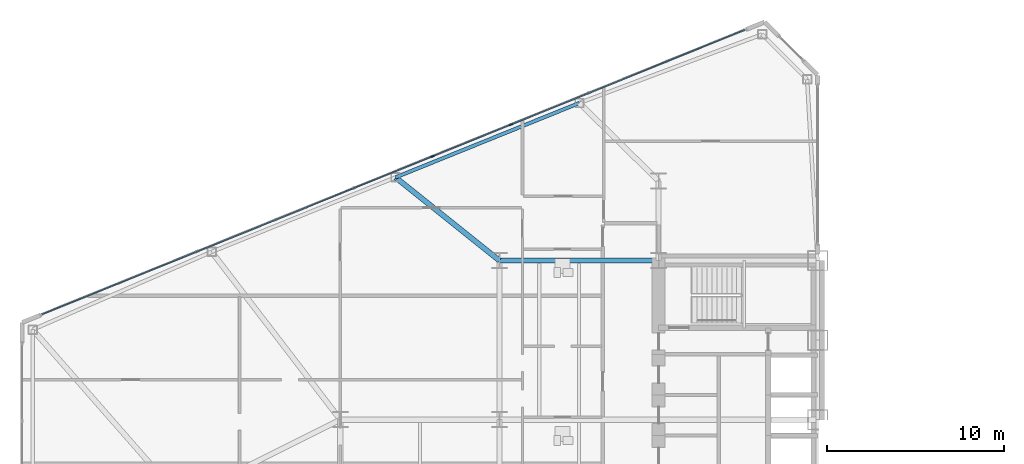
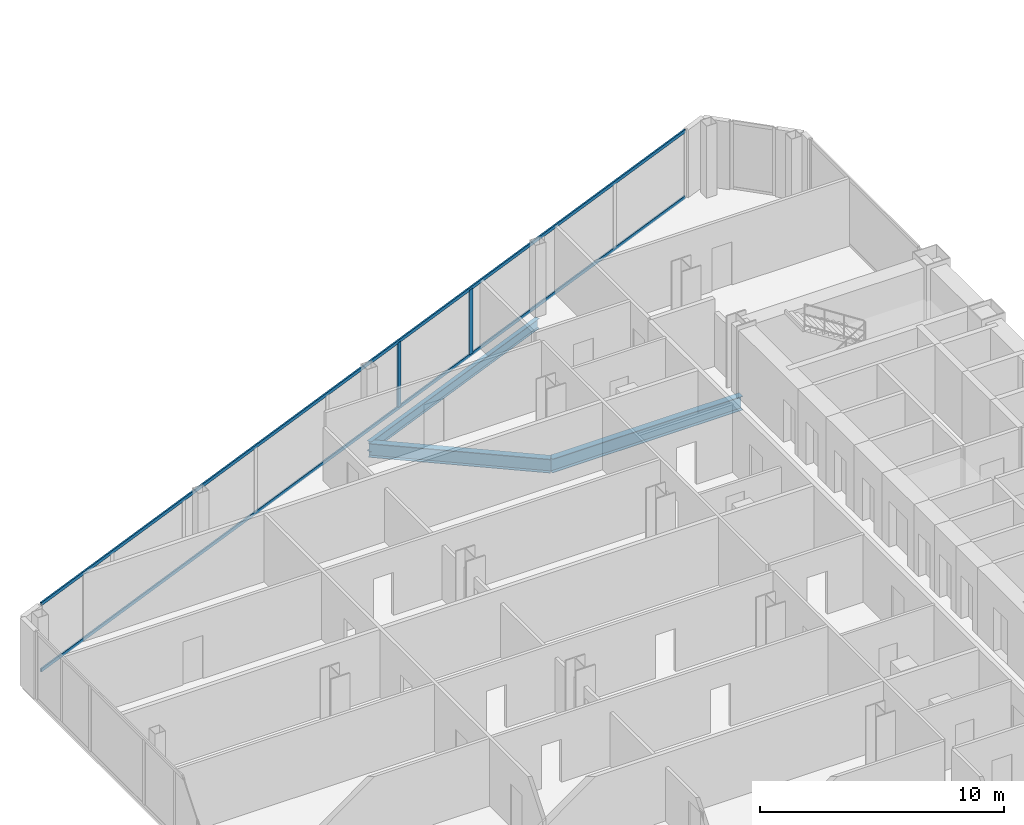
# One storey, part 7 of 25: 4 members, 3 beams, 1 element without a shape of its own.
"""IFC4 building model written with IfcOpenShell, lengths in metres."""

import ifcopenshell
import ifcopenshell.guid

model = None  # the IFC model being written
_history = None  # IfcOwnerHistory: only IFC2X3 demands one
_inside = {}  # id of a spatial element -> (the spatial element, [elements in it])
_under = {}  # id of a project, library or spatial element -> (it, [spatial elements below it])
_declared = {}  # id of a project -> (the project, [libraries it declares])
_typed = {}  # id of a type object -> (the type object, [elements of that type])
_made_of = {}  # id of a material, layer set ... -> (it, [elements and type objects made of it])


def new_model(schema):
    """Start an empty IFC model of exactly this schema.

    Asked for "IFC4X3", IfcOpenShell would pick the latest addendum, in which some entities
    have other attributes; the version numbers below select the first issue.
    IFC2X3 requires an IfcOwnerHistory on every rooted entity: one is made here for all.
    """
    global model, _history
    if schema == "IFC4X3":
        model = ifcopenshell.file(schema_version=(4, 3, 0, 0))
    else:
        model = ifcopenshell.file(schema=schema)
    _inside.clear()
    _under.clear()
    _declared.clear()
    _typed.clear()
    _made_of.clear()
    _history = None
    if model.schema == "IFC2X3":
        org = make("IfcOrganization", Name="unknown")
        user = make(
            "IfcPersonAndOrganization",
            ThePerson=make("IfcPerson", FamilyName="unknown"),
            TheOrganization=org,
        )
        app = make(
            "IfcApplication",
            ApplicationDeveloper=org,
            Version="unknown",
            ApplicationFullName="unknown",
            ApplicationIdentifier="unknown",
        )
        _history = make(
            "IfcOwnerHistory",
            OwningUser=user,
            OwningApplication=app,
            ChangeAction="ADDED",
            CreationDate=0,
        )
    return model


def make(cls, **values):
    """One entity of the class cls with the attributes given. An attribute that is None is left unset."""
    return model.create_entity(
        cls, **{name: value for name, value in values.items() if value is not None}
    )


def rooted(cls, **values):
    """An entity with a GlobalId (a new one), such as an element, a storey or a relation."""
    return make(cls, GlobalId=ifcopenshell.guid.new(), OwnerHistory=_history, **values)


def si_unit(unit_type, name, prefix=None):
    """IfcSIUnit, for example si_unit("LENGTHUNIT", "METRE", prefix="MILLI")."""
    return make("IfcSIUnit", UnitType=unit_type, Prefix=prefix, Name=name)


def assignment(units):
    """IfcUnitAssignment: the units of a project."""
    return None if units is None else make("IfcUnitAssignment", Units=units)


def point(xyz):
    """IfcCartesianPoint."""
    return None if xyz is None else make("IfcCartesianPoint", Coordinates=xyz)


def direction(xyz):
    """IfcDirection."""
    return None if xyz is None else make("IfcDirection", DirectionRatios=xyz)


def frame(location, z_axis=None, x_axis=None):
    """IfcAxis2Placement3D, a coordinate frame: its origin and axes. An axis left out is left unset."""
    return make(
        "IfcAxis2Placement3D",
        Location=point(location),
        Axis=direction(z_axis),
        RefDirection=direction(x_axis),
    )


def frame_2d(location, x_axis=None):
    """IfcAxis2Placement2D, a coordinate frame in the plane: its origin and x axis."""
    return make(
        "IfcAxis2Placement2D", Location=point(location), RefDirection=direction(x_axis)
    )


def origin():
    """The frame at (0, 0, 0) with its axes left unset."""
    return frame((0.0, 0.0, 0.0))


def origin_2d():
    """The frame at (0, 0) in the plane with its x axis left unset."""
    return frame_2d((0.0, 0.0))


def place(relative_to, where):
    """IfcLocalPlacement: puts the frame where relative to a parent placement (None: the world)."""
    return make(
        "IfcLocalPlacement", PlacementRelTo=relative_to, RelativePlacement=where
    )


def context(
    kind, dimensions, precision=None, world=None, true_north=None, identifier=None
):
    """IfcGeometricRepresentationContext, for example the 3D "Model" context."""
    return make(
        "IfcGeometricRepresentationContext",
        ContextIdentifier=identifier,
        ContextType=kind,
        CoordinateSpaceDimension=dimensions,
        Precision=precision,
        WorldCoordinateSystem=world,
        TrueNorth=true_north,
    )


def subcontext(parent, identifier, kind, view, scale=None):
    """IfcGeometricRepresentationSubContext, for example "Body" below "Model"."""
    return make(
        "IfcGeometricRepresentationSubContext",
        ContextIdentifier=identifier,
        ContextType=kind,
        ParentContext=parent,
        TargetScale=scale,
        TargetView=view,
    )


def project(units=None, contexts=None):
    """IfcProject with its units and contexts."""
    return rooted(
        "IfcProject",
        Name="project",
        RepresentationContexts=contexts,
        UnitsInContext=assignment(units),
    )


def spatial(cls, under=None, at=None, **own):
    """A site, building, storey or space (cls), placed at a placement, below another one or the project."""
    s = rooted(cls, ObjectPlacement=at, **own)
    if under is not None:
        _under.setdefault(under.id(), (under, []))[1].append(s)
    return s


def profile(cls, at=None, kind="AREA", **sizes):
    """A parametric profile (cls). Its sizes go by their IFC names, for example OverallWidth=200.0."""
    return make(cls, ProfileType=kind, Position=at, **sizes)


def rectangle(**sizes):
    """IfcRectangleProfileDef."""
    return profile("IfcRectangleProfileDef", **sizes)


def i_section(**sizes):
    """IfcIShapeProfileDef."""
    return profile("IfcIShapeProfileDef", **sizes)


def extrude(swept, where, along, depth):
    """IfcExtrudedAreaSolid: the profile swept, set in the frame where, extruded along a direction by depth."""
    return make(
        "IfcExtrudedAreaSolid",
        SweptArea=swept,
        Position=where,
        ExtrudedDirection=direction(along),
        Depth=depth,
    )


def shape(context_of_items, identifier, shape_type, items):
    """IfcShapeRepresentation: the items that make up one representation, for example the "Body"."""
    return make(
        "IfcShapeRepresentation",
        ContextOfItems=context_of_items,
        RepresentationIdentifier=identifier,
        RepresentationType=shape_type,
        Items=items,
    )


def source(mapping_origin, context_of_items, identifier, shape_type, items):
    """IfcRepresentationMap: a shape defined once, which mapped items show again and again."""
    return make(
        "IfcRepresentationMap",
        MappingOrigin=mapping_origin,
        MappedRepresentation=shape(context_of_items, identifier, shape_type, items),
    )


def transform(
    local_origin,
    x_axis=None,
    y_axis=None,
    z_axis=None,
    scale=None,
    scale2=None,
    scale3=None,
    uniform=True,
):
    """IfcCartesianTransformationOperator3D, or its non-uniform kind. x_axis, y_axis, z_axis: its Axis1, 2, 3."""
    if uniform:
        return make(
            "IfcCartesianTransformationOperator3D",
            Axis1=direction(x_axis),
            Axis2=direction(y_axis),
            LocalOrigin=point(local_origin),
            Scale=scale,
            Axis3=direction(z_axis),
        )
    return make(
        "IfcCartesianTransformationOperator3DnonUniform",
        Axis1=direction(x_axis),
        Axis2=direction(y_axis),
        LocalOrigin=point(local_origin),
        Scale=scale,
        Axis3=direction(z_axis),
        Scale2=scale2,
        Scale3=scale3,
    )


def mapped(mapping_source, mapping_target):
    """IfcMappedItem: shows the shape of a source again, moved by a transform."""
    return make(
        "IfcMappedItem", MappingSource=mapping_source, MappingTarget=mapping_target
    )


def material(Name=None, Category=None):
    """IfcMaterial."""
    return make("IfcMaterial", Name=Name, Category=Category)


def layer(
    of_material, thickness, ventilated=None, Name=None, Category=None, Priority=None
):
    """IfcMaterialLayer: one layer of a wall or slab, of a material (None: an air gap)."""
    return make(
        "IfcMaterialLayer",
        Material=of_material,
        LayerThickness=thickness,
        IsVentilated=ventilated,
        Name=Name,
        Category=Category,
        Priority=Priority,
    )


def layer_set(layers, Name=None):
    """IfcMaterialLayerSet."""
    return make("IfcMaterialLayerSet", MaterialLayers=layers, LayerSetName=Name)


def material_profile(
    of_material, cross_section, Name=None, Category=None, Priority=None
):
    """IfcMaterialProfile: a cross section and its material."""
    return make(
        "IfcMaterialProfile",
        Name=Name,
        Material=of_material,
        Profile=cross_section,
        Priority=Priority,
        Category=Category,
    )


def profile_set(profiles, Name=None, composite=None):
    """IfcMaterialProfileSet."""
    return make(
        "IfcMaterialProfileSet",
        Name=Name,
        MaterialProfiles=profiles,
        CompositeProfile=composite,
    )


def made_of(thing, what):
    """Note that an element or type object is made of a material, layer set ...; save() writes the relation."""
    if what is not None:
        _made_of.setdefault(what.id(), (what, []))[1].append(thing)
    return thing


def type_object(cls, material=None, **own):
    """A type object (cls), such as IfcWallType, which elements share."""
    return made_of(rooted(cls, **own), material)


def type_shapes(of_type, sources):
    """Give a type object the sources (RepresentationMaps) that its elements show as mapped items."""
    of_type.RepresentationMaps = sources


def element(
    cls,
    number,
    at=None,
    inside=None,
    cuts=None,
    type_object=None,
    material=None,
    context=None,
    identifier="Body",
    shape_type=None,
    held_by="IfcProductDefinitionShape",
    body=None,
    shapes=None,
    **own,
):
    """One element of the class cls, such as IfcWall. Its Tag is "e" and its number.

    at: its placement. inside: the storey or other place that contains it. cuts: it is an
    opening in that element (IfcRelVoidsElement). A single representation is given by context,
    identifier, shape_type and body (its items); several are given by shapes. held_by: the class
    of the entity that holds the representations. save() writes the other relations.
    """
    e = rooted(cls, Tag="e%d" % number, ObjectPlacement=at, **own)
    if body is not None:
        shapes = [shape(context, identifier, shape_type, body)]
    if shapes is not None:
        e.Representation = make(held_by, Representations=shapes)
    if inside is not None:
        _inside.setdefault(inside.id(), (inside, []))[1].append(e)
    if cuts is not None:
        rooted(
            "IfcRelVoidsElement", RelatingBuildingElement=cuts, RelatedOpeningElement=e
        )
    if type_object is not None:
        _typed.setdefault(type_object.id(), (type_object, []))[1].append(e)
    return made_of(e, material)


def aggregate(whole, parts):
    """IfcRelAggregates: a whole, such as a stair, and the parts it consists of."""
    return rooted("IfcRelAggregates", RelatingObject=whole, RelatedObjects=parts)


def save(model, path):
    """Write the relations noted so far, then the file.

    IfcRelAggregates (storeys below a building ...), IfcRelContainedInSpatialStructure (elements
    in a storey), IfcRelDefinesByType, IfcRelAssociatesMaterial and IfcRelDeclares: one each for
    every whole, place, type object, material and project.
    """
    for whole, parts in _under.values():
        aggregate(whole, parts)
    for where, things in _inside.values():
        rooted(
            "IfcRelContainedInSpatialStructure",
            RelatedElements=things,
            RelatingStructure=where,
        )
    for kind, things in _typed.values():
        rooted("IfcRelDefinesByType", RelatedObjects=things, RelatingType=kind)
    for what, things in _made_of.values():
        rooted("IfcRelAssociatesMaterial", RelatedObjects=things, RelatingMaterial=what)
    for by, libraries in _declared.values():
        rooted("IfcRelDeclares", RelatingContext=by, RelatedDefinitions=libraries)
    model.write(path)


model = new_model("IFC4")

# Units and contexts
model_context = context("Model", 3, precision=1e-05, world=origin(), true_north=direction((0.0, 1.0)))
body_context = subcontext(model_context, "Body", "Model", "MODEL_VIEW")
ifc_project = project(units=[si_unit("LENGTHUNIT", "METRE"), si_unit("AREAUNIT", "SQUARE_METRE"), si_unit("VOLUMEUNIT", "CUBIC_METRE"), si_unit("PLANEANGLEUNIT", "RADIAN"), si_unit("MASSUNIT", "GRAM", prefix="KILO")], contexts=[model_context])

# Site, building, storey
site_placement = place(None, origin())
site = spatial("IfcSite", under=ifc_project, at=site_placement, CompositionType="ELEMENT")
building_placement = place(site_placement, origin())
building = spatial("IfcBuilding", under=site, at=building_placement, Name="Seokmaru Belvedere", CompositionType="ELEMENT")
storey_placement = place(building_placement, frame((0.0, 0.0, 33.300048828125)))
storey = spatial("IfcBuildingStorey", under=building, at=storey_placement, Name="L08", CompositionType="ELEMENT", Elevation=33.300048828125)

# Beams
ifc_material_1 = material(Name="Steel SM355 (355 MPa)", Category="steel")
ifc_material_profile_1 = material_profile(ifc_material_1, i_section(OverallWidth=0.300048828125, OverallDepth=0.699951171875, WebThickness=0.012939453125, FlangeThickness=0.02392578125, at=origin_2d()), Name="H-700x300x13x24")
ifc_profile_set_1 = profile_set([ifc_material_profile_1], Name="Steel SM355 (355 MPa)")
beam_type_1 = type_object("IfcBeamType", Name="Primary Floor Girder H-700", PredefinedType="BEAM", material=ifc_profile_set_1)
shared_shape_1 = source(origin(), body_context, "Body", "SweptSolid", [
    extrude(i_section(OverallWidth=0.300048828125, OverallDepth=0.699951171875, WebThickness=0.012939453125, FlangeThickness=0.02392578125, at=origin_2d()), origin(), (0.0, 0.0, 1.0), 9.0),
])
beam_1_placement = place(storey_placement, frame((-45.5, 13.5, -0.570068359375), z_axis=(1.0, 0.0, 0.0), x_axis=(0.0, 1.0, 0.0)))
element("IfcBeam", 1, at=beam_1_placement, inside=storey, type_object=beam_type_1, Name="L08 W Wing Primary Girder 4", PredefinedType="BEAM", context=body_context, shape_type="MappedRepresentation", body=[
    mapped(shared_shape_1, transform((0.0, 0.0, 0.0), scale=1.0)),
])
ifc_material_profile_2 = material_profile(ifc_material_1, i_section(OverallWidth=0.199951171875, OverallDepth=0.5, WebThickness=0.010009765625, FlangeThickness=0.01611328125, at=origin_2d()), Name="H-500x200x10x16")
ifc_profile_set_2 = profile_set([ifc_material_profile_2], Name="Steel SM355 (355 MPa)")
beam_type_2 = type_object("IfcBeamType", Name="Perimeter Spandrel Beam H-500", PredefinedType="SPANDREL", material=ifc_profile_set_2)
shared_shape_2 = source(origin(), body_context, "Body", "SweptSolid", [
    extrude(i_section(OverallWidth=0.199951171875, OverallDepth=0.5, WebThickness=0.010009765625, FlangeThickness=0.01611328125, at=origin_2d()), origin(), (0.0, 0.0, 1.0), 11.220703125),
])
type_shapes(beam_type_2, [shared_shape_2])
beam_2_placement = place(storey_placement, frame((-40.977294921875, 22.4140625, -0.469970703125), z_axis=(-0.926944290816, -0.375198989503, 0.0), x_axis=(0.375198989503, -0.926944290816, 0.0)))
element("IfcBeam", 2, at=beam_2_placement, inside=storey, type_object=beam_type_2, Name="L08 W Faceted Flank Spandrel N-2", PredefinedType="SPANDREL", context=body_context, shape_type="MappedRepresentation", body=[
    mapped(shared_shape_2, transform((0.0, 0.0, 0.0), scale=1.0)),
])
shared_shape_3 = source(origin(), body_context, "Body", "SweptSolid", [
    extrude(i_section(OverallWidth=0.300048828125, OverallDepth=0.699951171875, WebThickness=0.012939453125, FlangeThickness=0.02392578125, at=origin_2d()), origin(), (0.0, 0.0, 1.0), 7.52880859375),
])
type_shapes(beam_type_1, [shared_shape_1, shared_shape_3])
beam_3_placement = place(storey_placement, frame((-51.378173828125, 18.2041015625, -0.570068359375), z_axis=(0.780767560736, -0.624821587418, 0.0), x_axis=(0.624821587418, 0.780767560736, 0.0)))
element("IfcBeam", 3, at=beam_3_placement, inside=storey, type_object=beam_type_1, Name="L08 W Flank Radial Floor Girder N-2", PredefinedType="BEAM", context=body_context, shape_type="MappedRepresentation", body=[
    mapped(shared_shape_3, transform((0.0, 0.0, 0.0), scale=1.0)),
])

# Curtain wall, members
ifc_material_2 = material(Name="Bronze Triple Insulating Glass", Category="glass")
ifc_layer = layer(ifc_material_2, 0.2099609375)
ifc_layer_set = layer_set([ifc_layer], Name="Bronze Triple Insulating Glass")
curtain_wall_type = type_object("IfcCurtainWallType", Name="Low-Rise Faceted Crystal Curtain Wall System CW-2", PredefinedType="NOTDEFINED", material=ifc_layer_set)
curtain_wall_placement = place(storey_placement, origin())
curtain_wall = element("IfcCurtainWall", 4, at=curtain_wall_placement, inside=storey, type_object=curtain_wall_type, Name="L08 Curtain Wall WF3", PredefinedType="NOTDEFINED")
ifc_material_3 = material(Name="Anodised Bronze Aluminium", Category="aluminium")
ifc_material_profile_3 = material_profile(ifc_material_3, rectangle(XDim=0.074951171875, YDim=0.2099609375, at=origin_2d()), Name="CW-M-75x210")
ifc_profile_set_3 = profile_set([ifc_material_profile_3], Name="Anodised Bronze Aluminium")
member_type_1 = type_object("IfcMemberType", Name="Bronze Unitised Mullion 75x210", PredefinedType="MULLION", material=ifc_profile_set_3)
shared_shape_4 = source(origin(), body_context, "Body", "SweptSolid", [
    extrude(rectangle(XDim=0.074951171875, YDim=0.2099609375, at=origin_2d()), origin(), (0.0, 0.0, 1.0), 3.239990234375),
])
type_shapes(member_type_1, [shared_shape_4])
member_1_placement = place(storey_placement, frame((-44.855224609375, 21.189453125, 0.070068359375), z_axis=(0.0, 0.0, 1.0), x_axis=(0.375192321888, -0.926946989637, 0.0)))
member_1 = element("IfcMember", 5, at=member_1_placement, type_object=member_type_1, Name="CW:L08:WF3 Mullion 4", PredefinedType="MULLION", context=body_context, shape_type="MappedRepresentation", body=[
    mapped(shared_shape_4, transform((0.0, 0.0, 0.0), scale=1.0)),
])
member_2_placement = place(storey_placement, frame((-49.28515625, 19.396484375, 0.070068359375), z_axis=(0.0, 0.0, 1.0), x_axis=(0.375192321888, -0.926946989637, 0.0)))
member_2 = element("IfcMember", 6, at=member_2_placement, type_object=member_type_1, Name="CW:L08:WF3 Mullion 5", PredefinedType="MULLION", context=body_context, shape_type="MappedRepresentation", body=[
    mapped(shared_shape_4, transform((0.0, 0.0, 0.0), scale=1.0)),
])
ifc_material_profile_4 = material_profile(ifc_material_3, rectangle(XDim=0.070068359375, YDim=0.1650390625, at=origin_2d()), Name="CW-T-70x165")
ifc_profile_set_4 = profile_set([ifc_material_profile_4], Name="Anodised Bronze Aluminium")
member_type_2 = type_object("IfcMemberType", Name="Bronze Unitised Transom 70x165", PredefinedType="USERDEFINED", material=ifc_profile_set_4)
shared_shape_5 = source(origin(), body_context, "Body", "SweptSolid", [
    extrude(rectangle(XDim=0.070068359375, YDim=0.1650390625, at=origin_2d()), origin(), (0.0, 0.0, 1.0), 42.860107421875),
])
type_shapes(member_type_2, [shared_shape_5])
member_3_placement = place(storey_placement, frame((-31.635498046875, 26.540283203125, 0.034912109375), z_axis=(-0.926948605599, -0.375188329481, 0.0), x_axis=(0.375188329481, -0.926948605599, 0.0)))
member_3 = element("IfcMember", 7, at=member_3_placement, type_object=member_type_2, Name="CW:L08:WF3 Continuous Transom 1", ObjectType="TRANSOM", PredefinedType="USERDEFINED", context=body_context, shape_type="MappedRepresentation", body=[
    mapped(shared_shape_5, transform((0.0, 0.0, 0.0), scale=1.0)),
])
member_4_placement = place(storey_placement, frame((-31.635498046875, 26.540283203125, 3.344970703125), z_axis=(-0.926948605599, -0.375188329481, 0.0), x_axis=(0.375188329481, -0.926948605599, 0.0)))
member_4 = element("IfcMember", 8, at=member_4_placement, type_object=member_type_2, Name="CW:L08:WF3 Continuous Transom 2", ObjectType="TRANSOM", PredefinedType="USERDEFINED", context=body_context, shape_type="MappedRepresentation", body=[
    mapped(shared_shape_5, transform((0.0, 0.0, 0.0), scale=1.0)),
])
aggregate(curtain_wall, [member_1, member_2, member_3, member_4])

save(model, "model.ifc")
